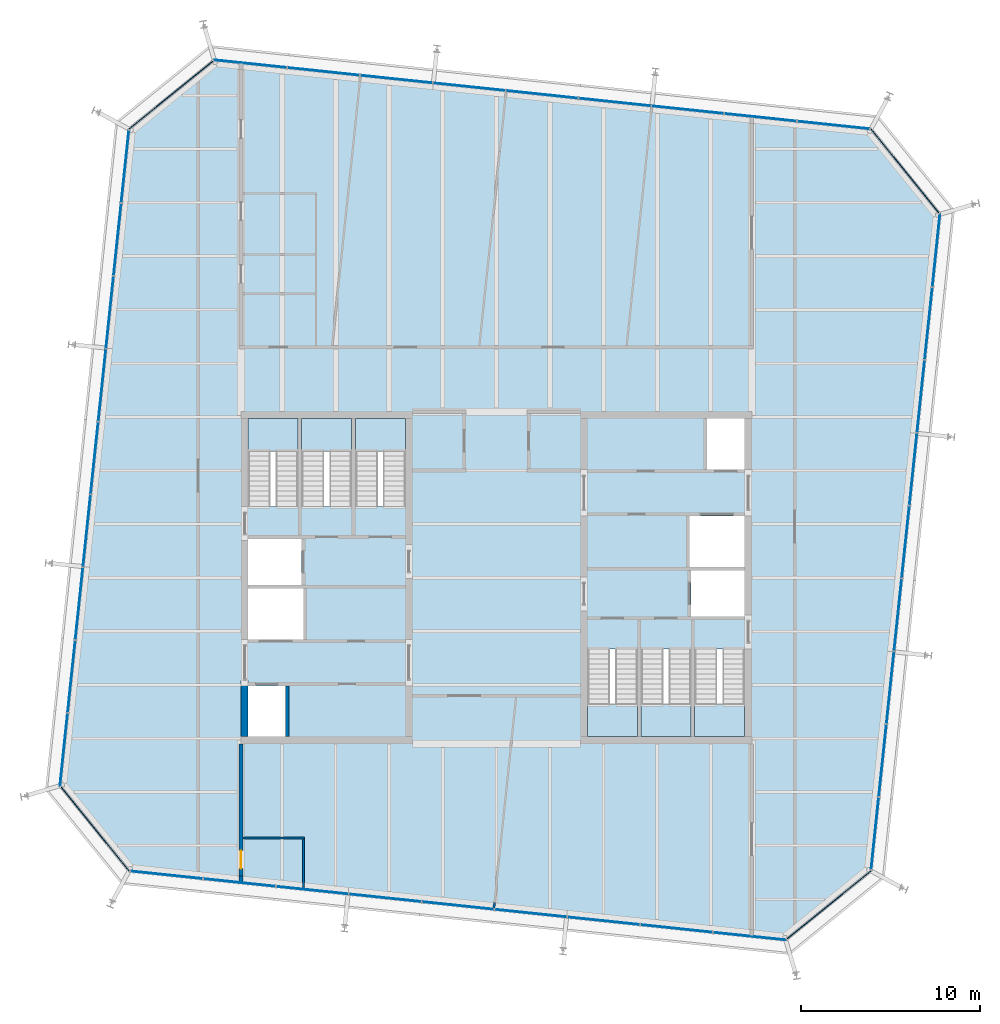
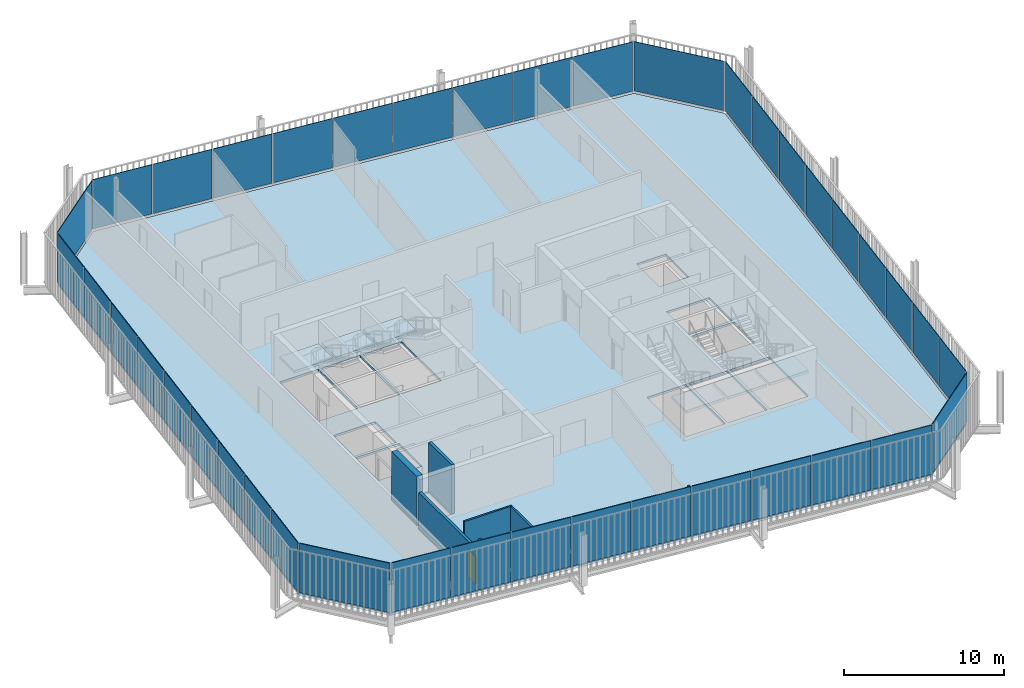
# One storey, part 15 of 20: 40 plates, 7 slabs, 7 walls, 1 door, 1 opening, 14 elements without a shape of their own.
"""IFC4 building model written with IfcOpenShell, lengths in metres."""

import ifcopenshell
import ifcopenshell.guid

model = None  # the IFC model being written
_history = None  # IfcOwnerHistory: only IFC2X3 demands one
_inside = {}  # id of a spatial element -> (the spatial element, [elements in it])
_under = {}  # id of a project, library or spatial element -> (it, [spatial elements below it])
_declared = {}  # id of a project -> (the project, [libraries it declares])
_typed = {}  # id of a type object -> (the type object, [elements of that type])
_made_of = {}  # id of a material, layer set ... -> (it, [elements and type objects made of it])


def new_model(schema):
    """Start an empty IFC model of exactly this schema.

    Asked for "IFC4X3", IfcOpenShell would pick the latest addendum, in which some entities
    have other attributes; the version numbers below select the first issue.
    IFC2X3 requires an IfcOwnerHistory on every rooted entity: one is made here for all.
    """
    global model, _history
    if schema == "IFC4X3":
        model = ifcopenshell.file(schema_version=(4, 3, 0, 0))
    else:
        model = ifcopenshell.file(schema=schema)
    _inside.clear()
    _under.clear()
    _declared.clear()
    _typed.clear()
    _made_of.clear()
    _history = None
    if model.schema == "IFC2X3":
        org = make("IfcOrganization", Name="unknown")
        user = make(
            "IfcPersonAndOrganization",
            ThePerson=make("IfcPerson", FamilyName="unknown"),
            TheOrganization=org,
        )
        app = make(
            "IfcApplication",
            ApplicationDeveloper=org,
            Version="unknown",
            ApplicationFullName="unknown",
            ApplicationIdentifier="unknown",
        )
        _history = make(
            "IfcOwnerHistory",
            OwningUser=user,
            OwningApplication=app,
            ChangeAction="ADDED",
            CreationDate=0,
        )
    return model


def make(cls, **values):
    """One entity of the class cls with the attributes given. An attribute that is None is left unset."""
    return model.create_entity(
        cls, **{name: value for name, value in values.items() if value is not None}
    )


def rooted(cls, **values):
    """An entity with a GlobalId (a new one), such as an element, a storey or a relation."""
    return make(cls, GlobalId=ifcopenshell.guid.new(), OwnerHistory=_history, **values)


def si_unit(unit_type, name, prefix=None):
    """IfcSIUnit, for example si_unit("LENGTHUNIT", "METRE", prefix="MILLI")."""
    return make("IfcSIUnit", UnitType=unit_type, Prefix=prefix, Name=name)


def assignment(units):
    """IfcUnitAssignment: the units of a project."""
    return None if units is None else make("IfcUnitAssignment", Units=units)


def point(xyz):
    """IfcCartesianPoint."""
    return None if xyz is None else make("IfcCartesianPoint", Coordinates=xyz)


def direction(xyz):
    """IfcDirection."""
    return None if xyz is None else make("IfcDirection", DirectionRatios=xyz)


def frame(location, z_axis=None, x_axis=None):
    """IfcAxis2Placement3D, a coordinate frame: its origin and axes. An axis left out is left unset."""
    return make(
        "IfcAxis2Placement3D",
        Location=point(location),
        Axis=direction(z_axis),
        RefDirection=direction(x_axis),
    )


def frame_2d(location, x_axis=None):
    """IfcAxis2Placement2D, a coordinate frame in the plane: its origin and x axis."""
    return make(
        "IfcAxis2Placement2D", Location=point(location), RefDirection=direction(x_axis)
    )


def origin():
    """The frame at (0, 0, 0) with its axes left unset."""
    return frame((0.0, 0.0, 0.0))


def place(relative_to, where):
    """IfcLocalPlacement: puts the frame where relative to a parent placement (None: the world)."""
    return make(
        "IfcLocalPlacement", PlacementRelTo=relative_to, RelativePlacement=where
    )


def context(
    kind, dimensions, precision=None, world=None, true_north=None, identifier=None
):
    """IfcGeometricRepresentationContext, for example the 3D "Model" context."""
    return make(
        "IfcGeometricRepresentationContext",
        ContextIdentifier=identifier,
        ContextType=kind,
        CoordinateSpaceDimension=dimensions,
        Precision=precision,
        WorldCoordinateSystem=world,
        TrueNorth=true_north,
    )


def subcontext(parent, identifier, kind, view, scale=None):
    """IfcGeometricRepresentationSubContext, for example "Body" below "Model"."""
    return make(
        "IfcGeometricRepresentationSubContext",
        ContextIdentifier=identifier,
        ContextType=kind,
        ParentContext=parent,
        TargetScale=scale,
        TargetView=view,
    )


def project(units=None, contexts=None):
    """IfcProject with its units and contexts."""
    return rooted(
        "IfcProject",
        Name="project",
        RepresentationContexts=contexts,
        UnitsInContext=assignment(units),
    )


def spatial(cls, under=None, at=None, **own):
    """A site, building, storey or space (cls), placed at a placement, below another one or the project."""
    s = rooted(cls, ObjectPlacement=at, **own)
    if under is not None:
        _under.setdefault(under.id(), (under, []))[1].append(s)
    return s


def polyline(points):
    """IfcPolyline through the points."""
    return make("IfcPolyline", Points=[point(p) for p in points])


def profile(cls, at=None, kind="AREA", **sizes):
    """A parametric profile (cls). Its sizes go by their IFC names, for example OverallWidth=200.0."""
    return make(cls, ProfileType=kind, Position=at, **sizes)


def rectangle(**sizes):
    """IfcRectangleProfileDef."""
    return profile("IfcRectangleProfileDef", **sizes)


def outline(outer, holes=None, kind="AREA"):
    """IfcArbitraryClosedProfileDef: a profile drawn as a closed curve; with holes, ...WithVoids."""
    if holes is None:
        return make("IfcArbitraryClosedProfileDef", ProfileType=kind, OuterCurve=outer)
    return make(
        "IfcArbitraryProfileDefWithVoids",
        ProfileType=kind,
        OuterCurve=outer,
        InnerCurves=holes,
    )


def extrude(swept, where, along, depth):
    """IfcExtrudedAreaSolid: the profile swept, set in the frame where, extruded along a direction by depth."""
    return make(
        "IfcExtrudedAreaSolid",
        SweptArea=swept,
        Position=where,
        ExtrudedDirection=direction(along),
        Depth=depth,
    )


def shape(context_of_items, identifier, shape_type, items):
    """IfcShapeRepresentation: the items that make up one representation, for example the "Body"."""
    return make(
        "IfcShapeRepresentation",
        ContextOfItems=context_of_items,
        RepresentationIdentifier=identifier,
        RepresentationType=shape_type,
        Items=items,
    )


def material(Name=None, Category=None):
    """IfcMaterial."""
    return make("IfcMaterial", Name=Name, Category=Category)


def layer(
    of_material, thickness, ventilated=None, Name=None, Category=None, Priority=None
):
    """IfcMaterialLayer: one layer of a wall or slab, of a material (None: an air gap)."""
    return make(
        "IfcMaterialLayer",
        Material=of_material,
        LayerThickness=thickness,
        IsVentilated=ventilated,
        Name=Name,
        Category=Category,
        Priority=Priority,
    )


def layer_set(layers, Name=None):
    """IfcMaterialLayerSet."""
    return make("IfcMaterialLayerSet", MaterialLayers=layers, LayerSetName=Name)


def made_of(thing, what):
    """Note that an element or type object is made of a material, layer set ...; save() writes the relation."""
    if what is not None:
        _made_of.setdefault(what.id(), (what, []))[1].append(thing)
    return thing


def type_object(cls, material=None, **own):
    """A type object (cls), such as IfcWallType, which elements share."""
    return made_of(rooted(cls, **own), material)


def element(
    cls,
    number,
    at=None,
    inside=None,
    cuts=None,
    type_object=None,
    material=None,
    context=None,
    identifier="Body",
    shape_type=None,
    held_by="IfcProductDefinitionShape",
    body=None,
    shapes=None,
    **own,
):
    """One element of the class cls, such as IfcWall. Its Tag is "e" and its number.

    at: its placement. inside: the storey or other place that contains it. cuts: it is an
    opening in that element (IfcRelVoidsElement). A single representation is given by context,
    identifier, shape_type and body (its items); several are given by shapes. held_by: the class
    of the entity that holds the representations. save() writes the other relations.
    """
    e = rooted(cls, Tag="e%d" % number, ObjectPlacement=at, **own)
    if body is not None:
        shapes = [shape(context, identifier, shape_type, body)]
    if shapes is not None:
        e.Representation = make(held_by, Representations=shapes)
    if inside is not None:
        _inside.setdefault(inside.id(), (inside, []))[1].append(e)
    if cuts is not None:
        rooted(
            "IfcRelVoidsElement", RelatingBuildingElement=cuts, RelatedOpeningElement=e
        )
    if type_object is not None:
        _typed.setdefault(type_object.id(), (type_object, []))[1].append(e)
    return made_of(e, material)


def fill(opening, filler):
    """IfcRelFillsElement: the door or window that sits in an opening."""
    return rooted(
        "IfcRelFillsElement",
        RelatingOpeningElement=opening,
        RelatedBuildingElement=filler,
    )


def aggregate(whole, parts):
    """IfcRelAggregates: a whole, such as a stair, and the parts it consists of."""
    return rooted("IfcRelAggregates", RelatingObject=whole, RelatedObjects=parts)


def save(model, path):
    """Write the relations noted so far, then the file.

    IfcRelAggregates (storeys below a building ...), IfcRelContainedInSpatialStructure (elements
    in a storey), IfcRelDefinesByType, IfcRelAssociatesMaterial and IfcRelDeclares: one each for
    every whole, place, type object, material and project.
    """
    for whole, parts in _under.values():
        aggregate(whole, parts)
    for where, things in _inside.values():
        rooted(
            "IfcRelContainedInSpatialStructure",
            RelatedElements=things,
            RelatingStructure=where,
        )
    for kind, things in _typed.values():
        rooted("IfcRelDefinesByType", RelatedObjects=things, RelatingType=kind)
    for what, things in _made_of.values():
        rooted("IfcRelAssociatesMaterial", RelatedObjects=things, RelatingMaterial=what)
    for by, libraries in _declared.values():
        rooted("IfcRelDeclares", RelatingContext=by, RelatedDefinitions=libraries)
    model.write(path)


model = new_model("IFC4")

# Units and contexts
model_context = context("Model", 3, precision=1e-05, world=origin(), true_north=direction((0.0, 1.0)))
body_context = subcontext(model_context, "Body", "Model", "MODEL_VIEW")
ifc_project = project(units=[si_unit("LENGTHUNIT", "METRE"), si_unit("AREAUNIT", "SQUARE_METRE"), si_unit("VOLUMEUNIT", "CUBIC_METRE"), si_unit("PLANEANGLEUNIT", "RADIAN"), si_unit("MASSUNIT", "GRAM", prefix="KILO")], contexts=[model_context])

# Site, building, storey
site_placement = place(None, origin())
site = spatial("IfcSite", under=ifc_project, at=site_placement, CompositionType="ELEMENT")
building_placement = place(site_placement, origin())
building = spatial("IfcBuilding", under=site, at=building_placement, Name="Millrace Tower", CompositionType="ELEMENT")
storey_placement = place(building_placement, frame((0.0, 0.0, 330.39990234375)))
storey = spatial("IfcBuildingStorey", under=building, at=storey_placement, Name="L76", CompositionType="ELEMENT", Elevation=330.39990234375)

# Curtain wall, plate
ifc_material_1 = material(Name="Aluminium and glass", Category="aluminium")
ifc_layer_1 = layer(ifc_material_1, 0.14990234375)
ifc_layer_set_1 = layer_set([ifc_layer_1], Name="Aluminium and glass")
curtain_wall_type = type_object("IfcCurtainWallType", Name="CW-1 office vision curtain wall", PredefinedType="NOTDEFINED", material=ifc_layer_set_1)
placement_1 = place(storey_placement, origin())
curtain_wall_1 = element("IfcCurtainWall", 1, at=placement_1, inside=storey, type_object=curtain_wall_type, Name="Curtain wall E-F01 L76", PredefinedType="NOTDEFINED")
ifc_material_2 = material(Name="Glass", Category="glass")
ifc_layer_2 = layer(ifc_material_2, 0.0439453125)
ifc_layer_set_2 = layer_set([ifc_layer_2], Name="Glass")
plate_type = type_object("IfcPlateType", Name="CW-1 office vision curtain wall triple-glazed vision panel", PredefinedType="CURTAIN_PANEL", material=ifc_layer_set_2)
placement_2 = place(storey_placement, frame((0.0, 0.0, 0.14013671875)))
plate_1 = element("IfcPlate", 2, at=placement_2, type_object=plate_type, Name="CW1 panel E-F01.1", PredefinedType="CURTAIN_PANEL", context=body_context, shape_type="SweptSolid", body=[
    extrude(outline(polyline([(-24.388427734375, -11.732421875), (-20.5771484375, -16.439208984375), (-20.554443359375, -16.397216796875), (-24.354248046875, -11.704833984375), (-24.388427734375, -11.732421875)])), origin(), (0.0, 0.0, 1.0), 3.760009765625),
])
aggregate(curtain_wall_1, [plate_1])

# Curtain wall, plates
curtain_wall_2 = element("IfcCurtainWall", 3, at=placement_1, inside=storey, type_object=curtain_wall_type, Name="Curtain wall E-F02 L76", PredefinedType="NOTDEFINED")
plate_2 = element("IfcPlate", 4, at=placement_2, type_object=plate_type, Name="CW1 panel E-F02.1", PredefinedType="CURTAIN_PANEL", context=body_context, shape_type="SweptSolid", body=[
    extrude(outline(polyline([(-20.472412109375, -16.4501953125), (-16.45947265625, -16.871826171875), (-16.454833984375, -16.828125), (-20.4677734375, -16.40625), (-20.472412109375, -16.4501953125)])), origin(), (0.0, 0.0, 1.0), 3.760009765625),
])
plate_3 = element("IfcPlate", 5, at=placement_2, type_object=plate_type, Name="CW1 panel E-F02.2", PredefinedType="CURTAIN_PANEL", context=body_context, shape_type="SweptSolid", body=[
    extrude(outline(polyline([(-16.39501953125, -16.878662109375), (-12.382080078125, -17.300537109375), (-12.37744140625, -17.256591796875), (-16.390380859375, -16.8349609375), (-16.39501953125, -16.878662109375)])), origin(), (0.0, 0.0, 1.0), 3.760009765625),
])
plate_4 = element("IfcPlate", 6, at=placement_2, type_object=plate_type, Name="CW1 panel E-F02.3", PredefinedType="CURTAIN_PANEL", context=body_context, shape_type="SweptSolid", body=[
    extrude(outline(polyline([(-12.3173828125, -17.30712890625), (-8.304443359375, -17.72900390625), (-8.2998046875, -17.685302734375), (-12.312744140625, -17.263427734375), (-12.3173828125, -17.30712890625)])), origin(), (0.0, 0.0, 1.0), 3.760009765625),
])
plate_5 = element("IfcPlate", 7, at=placement_2, type_object=plate_type, Name="CW1 panel E-F02.4", PredefinedType="CURTAIN_PANEL", context=body_context, shape_type="SweptSolid", body=[
    extrude(outline(polyline([(-8.23974609375, -17.73583984375), (-4.22705078125, -18.157470703125), (-4.222412109375, -18.11376953125), (-8.235107421875, -17.692138671875), (-8.23974609375, -17.73583984375)])), origin(), (0.0, 0.0, 1.0), 3.760009765625),
])
plate_6 = element("IfcPlate", 8, at=placement_2, type_object=plate_type, Name="CW1 panel E-F02.5", PredefinedType="CURTAIN_PANEL", context=body_context, shape_type="SweptSolid", body=[
    extrude(outline(polyline([(-4.162353515625, -18.164306640625), (-0.1494140625, -18.586181640625), (-0.144775390625, -18.54248046875), (-4.15771484375, -18.12060546875), (-4.162353515625, -18.164306640625)])), origin(), (0.0, 0.0, 1.0), 3.760009765625),
])
plate_7 = element("IfcPlate", 9, at=placement_2, type_object=plate_type, Name="CW1 panel E-F02.6", PredefinedType="CURTAIN_PANEL", context=body_context, shape_type="SweptSolid", body=[
    extrude(outline(polyline([(-0.084716796875, -18.593017578125), (3.92822265625, -19.0146484375), (3.932861328125, -18.970947265625), (-0.080078125, -18.549072265625), (-0.084716796875, -18.593017578125)])), origin(), (0.0, 0.0, 1.0), 3.760009765625),
])
plate_8 = element("IfcPlate", 10, at=placement_2, type_object=plate_type, Name="CW1 panel E-F02.7", PredefinedType="CURTAIN_PANEL", context=body_context, shape_type="SweptSolid", body=[
    extrude(outline(polyline([(3.99267578125, -19.021484375), (8.005615234375, -19.443359375), (8.01025390625, -19.3994140625), (3.997314453125, -18.977783203125), (3.99267578125, -19.021484375)])), origin(), (0.0, 0.0, 1.0), 3.760009765625),
])
plate_9 = element("IfcPlate", 11, at=placement_2, type_object=plate_type, Name="CW1 panel E-F02.8", PredefinedType="CURTAIN_PANEL", context=body_context, shape_type="SweptSolid", body=[
    extrude(outline(polyline([(8.0703125, -19.449951171875), (12.083251953125, -19.871826171875), (12.087890625, -19.828125), (8.074951171875, -19.40625), (8.0703125, -19.449951171875)])), origin(), (0.0, 0.0, 1.0), 3.760009765625),
])
plate_10 = element("IfcPlate", 12, at=placement_2, type_object=plate_type, Name="CW1 panel E-F02.9", PredefinedType="CURTAIN_PANEL", context=body_context, shape_type="SweptSolid", body=[
    extrude(outline(polyline([(12.14794921875, -19.878662109375), (16.20068359375, -20.3046875), (16.187255859375, -20.259033203125), (12.152587890625, -19.8349609375), (12.14794921875, -19.878662109375)])), origin(), (0.0, 0.0, 1.0), 3.760009765625),
])
aggregate(curtain_wall_2, [plate_2, plate_3, plate_4, plate_5, plate_6, plate_7, plate_8, plate_9, plate_10])

# Curtain wall, plate
curtain_wall_3 = element("IfcCurtainWall", 13, at=placement_1, inside=storey, type_object=curtain_wall_type, Name="Curtain wall E-F03 L76", PredefinedType="NOTDEFINED")
plate_11 = element("IfcPlate", 14, at=placement_2, type_object=plate_type, Name="CW1 panel E-F03.1", PredefinedType="CURTAIN_PANEL", context=body_context, shape_type="SweptSolid", body=[
    extrude(outline(polyline([(16.282470703125, -20.23828125), (20.989013671875, -16.427001953125), (20.947265625, -16.404296875), (16.2548828125, -20.2041015625), (16.282470703125, -20.23828125)])), origin(), (0.0, 0.0, 1.0), 3.760009765625),
])
aggregate(curtain_wall_3, [plate_11])

# Curtain wall, plates
curtain_wall_4 = element("IfcCurtainWall", 15, at=placement_1, inside=storey, type_object=curtain_wall_type, Name="Curtain wall E-F04 L76", PredefinedType="NOTDEFINED")
plate_12 = element("IfcPlate", 16, at=placement_2, type_object=plate_type, Name="CW1 panel E-F04.1", PredefinedType="CURTAIN_PANEL", context=body_context, shape_type="SweptSolid", body=[
    extrude(outline(polyline([(21.0, -16.322509765625), (21.421875, -12.3095703125), (21.378173828125, -12.304931640625), (20.956298828125, -16.31787109375), (21.0, -16.322509765625)])), origin(), (0.0, 0.0, 1.0), 3.760009765625),
])
plate_13 = element("IfcPlate", 17, at=placement_2, type_object=plate_type, Name="CW1 panel E-F04.2", PredefinedType="CURTAIN_PANEL", context=body_context, shape_type="SweptSolid", body=[
    extrude(outline(polyline([(21.4287109375, -12.244873046875), (21.850341796875, -8.23193359375), (21.806640625, -8.227294921875), (21.385009765625, -12.240234375), (21.4287109375, -12.244873046875)])), origin(), (0.0, 0.0, 1.0), 3.760009765625),
])
plate_14 = element("IfcPlate", 18, at=placement_2, type_object=plate_type, Name="CW1 panel E-F04.3", PredefinedType="CURTAIN_PANEL", context=body_context, shape_type="SweptSolid", body=[
    extrude(outline(polyline([(21.857177734375, -8.16748046875), (22.279052734375, -4.154541015625), (22.2353515625, -4.14990234375), (21.8134765625, -8.162841796875), (21.857177734375, -8.16748046875)])), origin(), (0.0, 0.0, 1.0), 3.760009765625),
])
plate_15 = element("IfcPlate", 19, at=placement_2, type_object=plate_type, Name="CW1 panel E-F04.4", PredefinedType="CURTAIN_PANEL", context=body_context, shape_type="SweptSolid", body=[
    extrude(outline(polyline([(22.285888671875, -4.08984375), (22.70751953125, -0.076904296875), (22.663818359375, -0.072265625), (22.241943359375, -4.085205078125), (22.285888671875, -4.08984375)])), origin(), (0.0, 0.0, 1.0), 3.760009765625),
])
plate_16 = element("IfcPlate", 20, at=placement_2, type_object=plate_type, Name="CW1 panel E-F04.5", PredefinedType="CURTAIN_PANEL", context=body_context, shape_type="SweptSolid", body=[
    extrude(outline(polyline([(22.71435546875, -0.01220703125), (23.13623046875, 4.00048828125), (23.09228515625, 4.005126953125), (22.670654296875, -0.007568359375), (22.71435546875, -0.01220703125)])), origin(), (0.0, 0.0, 1.0), 3.760009765625),
])
plate_17 = element("IfcPlate", 21, at=placement_2, type_object=plate_type, Name="CW1 panel E-F04.6", PredefinedType="CURTAIN_PANEL", context=body_context, shape_type="SweptSolid", body=[
    extrude(outline(polyline([(23.142822265625, 4.065185546875), (23.564697265625, 8.078125), (23.52099609375, 8.082763671875), (23.09912109375, 4.06982421875), (23.142822265625, 4.065185546875)])), origin(), (0.0, 0.0, 1.0), 3.760009765625),
])
plate_18 = element("IfcPlate", 22, at=placement_2, type_object=plate_type, Name="CW1 panel E-F04.7", PredefinedType="CURTAIN_PANEL", context=body_context, shape_type="SweptSolid", body=[
    extrude(outline(polyline([(23.571533203125, 8.142822265625), (23.9931640625, 12.15576171875), (23.949462890625, 12.160400390625), (23.52783203125, 8.1474609375), (23.571533203125, 8.142822265625)])), origin(), (0.0, 0.0, 1.0), 3.760009765625),
])
plate_19 = element("IfcPlate", 23, at=placement_2, type_object=plate_type, Name="CW1 panel E-F04.8", PredefinedType="CURTAIN_PANEL", context=body_context, shape_type="SweptSolid", body=[
    extrude(outline(polyline([(24.0, 12.22021484375), (24.421875, 16.233154296875), (24.378173828125, 16.23779296875), (23.956298828125, 12.224853515625), (24.0, 12.22021484375)])), origin(), (0.0, 0.0, 1.0), 3.760009765625),
])
plate_20 = element("IfcPlate", 24, at=placement_2, type_object=plate_type, Name="CW1 panel E-F04.9", PredefinedType="CURTAIN_PANEL", context=body_context, shape_type="SweptSolid", body=[
    extrude(outline(polyline([(24.4287109375, 16.2978515625), (24.8544921875, 20.350830078125), (24.808837890625, 20.337158203125), (24.384765625, 16.302490234375), (24.4287109375, 16.2978515625)])), origin(), (0.0, 0.0, 1.0), 3.760009765625),
])
aggregate(curtain_wall_4, [plate_12, plate_13, plate_14, plate_15, plate_16, plate_17, plate_18, plate_19, plate_20])

# Curtain wall, plate
curtain_wall_5 = element("IfcCurtainWall", 25, at=placement_1, inside=storey, type_object=curtain_wall_type, Name="Curtain wall E-F05 L76", PredefinedType="NOTDEFINED")
plate_21 = element("IfcPlate", 26, at=placement_2, type_object=plate_type, Name="CW1 panel E-F05.1", PredefinedType="CURTAIN_PANEL", context=body_context, shape_type="SweptSolid", body=[
    extrude(outline(polyline([(24.788330078125, 20.432373046875), (20.97705078125, 25.13916015625), (20.954345703125, 25.09716796875), (24.754150390625, 20.40478515625), (24.788330078125, 20.432373046875)])), origin(), (0.0, 0.0, 1.0), 3.760009765625),
])
aggregate(curtain_wall_5, [plate_21])

# Curtain wall, plates
curtain_wall_6 = element("IfcCurtainWall", 27, at=placement_1, inside=storey, type_object=curtain_wall_type, Name="Curtain wall E-F06 L76", PredefinedType="NOTDEFINED")
plate_22 = element("IfcPlate", 28, at=placement_2, type_object=plate_type, Name="CW1 panel E-F06.1", PredefinedType="CURTAIN_PANEL", context=body_context, shape_type="SweptSolid", body=[
    extrude(outline(polyline([(20.87255859375, 25.150146484375), (16.859619140625, 25.57177734375), (16.85498046875, 25.528076171875), (20.867919921875, 25.1064453125), (20.87255859375, 25.150146484375)])), origin(), (0.0, 0.0, 1.0), 3.760009765625),
])
plate_23 = element("IfcPlate", 29, at=placement_2, type_object=plate_type, Name="CW1 panel E-F06.2", PredefinedType="CURTAIN_PANEL", context=body_context, shape_type="SweptSolid", body=[
    extrude(outline(polyline([(16.794921875, 25.57861328125), (12.781982421875, 26.00048828125), (12.77734375, 25.956787109375), (16.790283203125, 25.534912109375), (16.794921875, 25.57861328125)])), origin(), (0.0, 0.0, 1.0), 3.760009765625),
])
plate_24 = element("IfcPlate", 30, at=placement_2, type_object=plate_type, Name="CW1 panel E-F06.3", PredefinedType="CURTAIN_PANEL", context=body_context, shape_type="SweptSolid", body=[
    extrude(outline(polyline([(12.71728515625, 26.00732421875), (8.70458984375, 26.428955078125), (8.699951171875, 26.38525390625), (12.712646484375, 25.96337890625), (12.71728515625, 26.00732421875)])), origin(), (0.0, 0.0, 1.0), 3.760009765625),
])
plate_25 = element("IfcPlate", 31, at=placement_2, type_object=plate_type, Name="CW1 panel E-F06.4", PredefinedType="CURTAIN_PANEL", context=body_context, shape_type="SweptSolid", body=[
    extrude(outline(polyline([(8.639892578125, 26.435791015625), (4.626953125, 26.857666015625), (4.622314453125, 26.813720703125), (8.63525390625, 26.39208984375), (8.639892578125, 26.435791015625)])), origin(), (0.0, 0.0, 1.0), 3.760009765625),
])
plate_26 = element("IfcPlate", 32, at=placement_2, type_object=plate_type, Name="CW1 panel E-F06.5", PredefinedType="CURTAIN_PANEL", context=body_context, shape_type="SweptSolid", body=[
    extrude(outline(polyline([(4.562255859375, 26.8642578125), (0.54931640625, 27.2861328125), (0.544677734375, 27.242431640625), (4.5576171875, 26.820556640625), (4.562255859375, 26.8642578125)])), origin(), (0.0, 0.0, 1.0), 3.760009765625),
])
plate_27 = element("IfcPlate", 33, at=placement_2, type_object=plate_type, Name="CW1 panel E-F06.6", PredefinedType="CURTAIN_PANEL", context=body_context, shape_type="SweptSolid", body=[
    extrude(outline(polyline([(0.48486328125, 27.29296875), (-3.528076171875, 27.714599609375), (-3.53271484375, 27.6708984375), (0.480224609375, 27.249267578125), (0.48486328125, 27.29296875)])), origin(), (0.0, 0.0, 1.0), 3.760009765625),
])
plate_28 = element("IfcPlate", 34, at=placement_2, type_object=plate_type, Name="CW1 panel E-F06.7", PredefinedType="CURTAIN_PANEL", context=body_context, shape_type="SweptSolid", body=[
    extrude(outline(polyline([(-3.5927734375, 27.721435546875), (-7.605712890625, 28.143310546875), (-7.6103515625, 28.099609375), (-3.597412109375, 27.677734375), (-3.5927734375, 27.721435546875)])), origin(), (0.0, 0.0, 1.0), 3.760009765625),
])
plate_29 = element("IfcPlate", 35, at=placement_2, type_object=plate_type, Name="CW1 panel E-F06.8", PredefinedType="CURTAIN_PANEL", context=body_context, shape_type="SweptSolid", body=[
    extrude(outline(polyline([(-7.67041015625, 28.150146484375), (-11.68310546875, 28.57177734375), (-11.687744140625, 28.528076171875), (-7.675048828125, 28.106201171875), (-7.67041015625, 28.150146484375)])), origin(), (0.0, 0.0, 1.0), 3.760009765625),
])
plate_30 = element("IfcPlate", 36, at=placement_2, type_object=plate_type, Name="CW1 panel E-F06.9", PredefinedType="CURTAIN_PANEL", context=body_context, shape_type="SweptSolid", body=[
    extrude(outline(polyline([(-11.747802734375, 28.57861328125), (-15.80078125, 29.004638671875), (-15.787109375, 28.958984375), (-11.75244140625, 28.534912109375), (-11.747802734375, 28.57861328125)])), origin(), (0.0, 0.0, 1.0), 3.760009765625),
])
aggregate(curtain_wall_6, [plate_22, plate_23, plate_24, plate_25, plate_26, plate_27, plate_28, plate_29, plate_30])

# Curtain wall, plate
curtain_wall_7 = element("IfcCurtainWall", 37, at=placement_1, inside=storey, type_object=curtain_wall_type, Name="Curtain wall E-F07 L76", PredefinedType="NOTDEFINED")
plate_31 = element("IfcPlate", 38, at=placement_2, type_object=plate_type, Name="CW1 panel E-F07.1", PredefinedType="CURTAIN_PANEL", context=body_context, shape_type="SweptSolid", body=[
    extrude(outline(polyline([(-15.882568359375, 28.9384765625), (-20.589111328125, 25.126953125), (-20.547119140625, 25.104248046875), (-15.854736328125, 28.904296875), (-15.882568359375, 28.9384765625)])), origin(), (0.0, 0.0, 1.0), 3.760009765625),
])
aggregate(curtain_wall_7, [plate_31])

# Curtain wall, plates
curtain_wall_8 = element("IfcCurtainWall", 39, at=placement_1, inside=storey, type_object=curtain_wall_type, Name="Curtain wall E-F08 L76", PredefinedType="NOTDEFINED")
plate_32 = element("IfcPlate", 40, at=placement_2, type_object=plate_type, Name="CW1 panel E-F08.1", PredefinedType="CURTAIN_PANEL", context=body_context, shape_type="SweptSolid", body=[
    extrude(outline(polyline([(-20.60009765625, 25.0224609375), (-21.02197265625, 21.009521484375), (-20.97802734375, 21.0048828125), (-20.556396484375, 25.017822265625), (-20.60009765625, 25.0224609375)])), origin(), (0.0, 0.0, 1.0), 3.760009765625),
])
plate_33 = element("IfcPlate", 41, at=placement_2, type_object=plate_type, Name="CW1 panel E-F08.2", PredefinedType="CURTAIN_PANEL", context=body_context, shape_type="SweptSolid", body=[
    extrude(outline(polyline([(-21.028564453125, 20.94482421875), (-21.450439453125, 16.93212890625), (-21.40673828125, 16.927490234375), (-20.98486328125, 20.9404296875), (-21.028564453125, 20.94482421875)])), origin(), (0.0, 0.0, 1.0), 3.760009765625),
])
plate_34 = element("IfcPlate", 42, at=placement_2, type_object=plate_type, Name="CW1 panel E-F08.3", PredefinedType="CURTAIN_PANEL", context=body_context, shape_type="SweptSolid", body=[
    extrude(outline(polyline([(-21.457275390625, 16.867431640625), (-21.87890625, 12.8544921875), (-21.835205078125, 12.849853515625), (-21.41357421875, 16.86279296875), (-21.457275390625, 16.867431640625)])), origin(), (0.0, 0.0, 1.0), 3.760009765625),
])
plate_35 = element("IfcPlate", 43, at=placement_2, type_object=plate_type, Name="CW1 panel E-F08.4", PredefinedType="CURTAIN_PANEL", context=body_context, shape_type="SweptSolid", body=[
    extrude(outline(polyline([(-21.8857421875, 12.789794921875), (-22.3076171875, 8.77685546875), (-22.263916015625, 8.772216796875), (-21.842041015625, 12.78515625), (-21.8857421875, 12.789794921875)])), origin(), (0.0, 0.0, 1.0), 3.760009765625),
])
plate_36 = element("IfcPlate", 44, at=placement_2, type_object=plate_type, Name="CW1 panel E-F08.5", PredefinedType="CURTAIN_PANEL", context=body_context, shape_type="SweptSolid", body=[
    extrude(outline(polyline([(-22.314453125, 8.71240234375), (-22.736083984375, 4.699462890625), (-22.6923828125, 4.69482421875), (-22.2705078125, 8.707763671875), (-22.314453125, 8.71240234375)])), origin(), (0.0, 0.0, 1.0), 3.760009765625),
])
plate_37 = element("IfcPlate", 45, at=placement_2, type_object=plate_type, Name="CW1 panel E-F08.6", PredefinedType="CURTAIN_PANEL", context=body_context, shape_type="SweptSolid", body=[
    extrude(outline(polyline([(-22.742919921875, 4.634765625), (-23.164794921875, 0.621826171875), (-23.120849609375, 0.6171875), (-22.69921875, 4.630126953125), (-22.742919921875, 4.634765625)])), origin(), (0.0, 0.0, 1.0), 3.760009765625),
])
plate_38 = element("IfcPlate", 46, at=placement_2, type_object=plate_type, Name="CW1 panel E-F08.7", PredefinedType="CURTAIN_PANEL", context=body_context, shape_type="SweptSolid", body=[
    extrude(outline(polyline([(-23.17138671875, 0.55712890625), (-23.59326171875, -3.45556640625), (-23.549560546875, -3.460205078125), (-23.127685546875, 0.552490234375), (-23.17138671875, 0.55712890625)])), origin(), (0.0, 0.0, 1.0), 3.760009765625),
])
plate_39 = element("IfcPlate", 47, at=placement_2, type_object=plate_type, Name="CW1 panel E-F08.8", PredefinedType="CURTAIN_PANEL", context=body_context, shape_type="SweptSolid", body=[
    extrude(outline(polyline([(-23.60009765625, -3.520263671875), (-24.021728515625, -7.533203125), (-23.97802734375, -7.537841796875), (-23.556396484375, -3.52490234375), (-23.60009765625, -3.520263671875)])), origin(), (0.0, 0.0, 1.0), 3.760009765625),
])
plate_40 = element("IfcPlate", 48, at=placement_2, type_object=plate_type, Name="CW1 panel E-F08.9", PredefinedType="CURTAIN_PANEL", context=body_context, shape_type="SweptSolid", body=[
    extrude(outline(polyline([(-24.028564453125, -7.597900390625), (-24.45458984375, -11.650634765625), (-24.408935546875, -11.63720703125), (-23.98486328125, -7.6025390625), (-24.028564453125, -7.597900390625)])), origin(), (0.0, 0.0, 1.0), 3.760009765625),
])
aggregate(curtain_wall_8, [plate_32, plate_33, plate_34, plate_35, plate_36, plate_37, plate_38, plate_39, plate_40])

# Slab
ifc_material_3 = material(Name="Concrete C35 on steel deck", Category="concrete")
ifc_layer_3 = layer(ifc_material_3, 0.159912109375)
ifc_layer_set_3 = layer_set([ifc_layer_3], Name="Concrete C35 on steel deck")
slab_type_1 = type_object("IfcSlabType", Name="Composite floor slab 160 mm", PredefinedType="FLOOR", material=ifc_layer_set_3)
slab_1_placement = place(storey_placement, frame((0.0, 0.0, -0.159912109375)))
element("IfcSlab", 49, at=slab_1_placement, inside=storey, type_object=slab_type_1, Name="SL-E-L76-S1", PredefinedType="FLOOR", context=body_context, shape_type="SweptSolid", body=[
    extrude(outline(polyline([(-24.35400390625, -11.620849609375), (-20.52685546875, -16.346923828125), (16.1708984375, -20.203857421875), (20.896728515625, -16.376953125), (24.75390625, 20.32080078125), (20.927001953125, 25.046875), (-15.77099609375, 28.90380859375), (-20.496826171875, 25.076904296875), (-24.35400390625, -11.620849609375)]), holes=[polyline([(-13.89990234375, -8.89990234375), (-11.800048828125, -8.89990234375), (-11.800048828125, -6.050048828125), (-13.89990234375, -6.050048828125), (-13.89990234375, -8.89990234375)]), polyline([(-13.89990234375, -3.449951171875), (-10.800048828125, -3.449951171875), (-10.800048828125, -0.60009765625), (-13.89990234375, -0.60009765625), (-13.89990234375, -3.449951171875)]), polyline([(-13.89990234375, -0.39990234375), (-10.89990234375, -0.39990234375), (-10.89990234375, 2.179931640625), (-13.89990234375, 2.179931640625), (-13.89990234375, -0.39990234375)]), polyline([(-13.89990234375, 4.0), (-11.10009765625, 4.0), (-11.10009765625, 8.89990234375), (-13.89990234375, 8.89990234375), (-13.89990234375, 4.0)]), polyline([(-10.89990234375, 4.0), (-8.10009765625, 4.0), (-8.10009765625, 8.89990234375), (-10.89990234375, 8.89990234375), (-10.89990234375, 4.0)]), polyline([(-7.89990234375, 4.0), (-5.10009765625, 4.0), (-5.10009765625, 8.89990234375), (-7.89990234375, 8.89990234375), (-7.89990234375, 4.0)]), polyline([(11.800048828125, 6.050048828125), (13.89990234375, 6.050048828125), (13.89990234375, 8.89990234375), (11.800048828125, 8.89990234375), (11.800048828125, 6.050048828125)]), polyline([(10.800048828125, 0.60009765625), (13.89990234375, 0.60009765625), (13.89990234375, 3.449951171875), (10.800048828125, 3.449951171875), (10.800048828125, 0.60009765625)]), polyline([(10.89990234375, -2.179931640625), (13.89990234375, -2.179931640625), (13.89990234375, 0.39990234375), (10.89990234375, 0.39990234375), (10.89990234375, -2.179931640625)]), polyline([(11.10009765625, -8.89990234375), (13.89990234375, -8.89990234375), (13.89990234375, -4.0), (11.10009765625, -4.0), (11.10009765625, -8.89990234375)]), polyline([(8.10009765625, -8.89990234375), (10.89990234375, -8.89990234375), (10.89990234375, -4.0), (8.10009765625, -4.0), (8.10009765625, -8.89990234375)]), polyline([(5.10009765625, -8.89990234375), (7.89990234375, -8.89990234375), (7.89990234375, -4.0), (5.10009765625, -4.0), (5.10009765625, -8.89990234375)])]), origin(), (0.0, 0.0, 1.0), 0.159912109375),
])

# Stair, slab
ifc_material_4 = material(Name="Concrete C35", Category="concrete")
stair_type = type_object("IfcStairType", Name="Exit stair", PredefinedType="HALF_TURN_STAIR", material=ifc_material_4)
stair_1 = element("IfcStair", 50, at=placement_1, inside=storey, type_object=stair_type, Name="Stair 1 W L76", PredefinedType="HALF_TURN_STAIR")
ifc_material_5 = material(Name="Concrete C40", Category="concrete")
ifc_layer_4 = layer(ifc_material_5, 0.199951171875)
ifc_layer_set_4 = layer_set([ifc_layer_4], Name="Concrete C40")
slab_type_2 = type_object("IfcSlabType", Name="Stair landing", PredefinedType="LANDING", material=ifc_layer_set_4)
placement_3 = place(storey_placement, frame((0.0, 0.0, 1.75)))
slab_2 = element("IfcSlab", 51, at=placement_3, type_object=slab_type_2, Name="ST12 landing 1", PredefinedType="LANDING", context=body_context, shape_type="SweptSolid", body=[
    extrude(outline(polyline([(-13.89990234375, 7.080078125), (-11.10009765625, 7.080078125), (-11.10009765625, 8.89990234375), (-13.89990234375, 8.89990234375), (-13.89990234375, 7.080078125)])), origin(), (0.0, 0.0, 1.0), 0.2001953125),
])
aggregate(stair_1, [slab_2])

stair_2 = element("IfcStair", 52, at=placement_1, inside=storey, type_object=stair_type, Name="Stair 2 W L76", PredefinedType="HALF_TURN_STAIR")
slab_3 = element("IfcSlab", 53, at=placement_3, type_object=slab_type_2, Name="ST12 landing 1", PredefinedType="LANDING", context=body_context, shape_type="SweptSolid", body=[
    extrude(outline(polyline([(-10.89990234375, 7.080078125), (-8.10009765625, 7.080078125), (-8.10009765625, 8.89990234375), (-10.89990234375, 8.89990234375), (-10.89990234375, 7.080078125)])), origin(), (0.0, 0.0, 1.0), 0.2001953125),
])
aggregate(stair_2, [slab_3])

stair_3 = element("IfcStair", 54, at=placement_1, inside=storey, type_object=stair_type, Name="Stair 3 W L76", PredefinedType="HALF_TURN_STAIR")
slab_4 = element("IfcSlab", 55, at=placement_3, type_object=slab_type_2, Name="ST12 landing 1", PredefinedType="LANDING", context=body_context, shape_type="SweptSolid", body=[
    extrude(outline(polyline([(-7.89990234375, 7.080078125), (-5.10009765625, 7.080078125), (-5.10009765625, 8.89990234375), (-7.89990234375, 8.89990234375), (-7.89990234375, 7.080078125)])), origin(), (0.0, 0.0, 1.0), 0.2001953125),
])
aggregate(stair_3, [slab_4])

stair_4 = element("IfcStair", 56, at=placement_1, inside=storey, type_object=stair_type, Name="Stair 1 E L76", PredefinedType="HALF_TURN_STAIR")
slab_5 = element("IfcSlab", 57, at=placement_3, type_object=slab_type_2, Name="ST12 landing 1", PredefinedType="LANDING", context=body_context, shape_type="SweptSolid", body=[
    extrude(outline(polyline([(11.10009765625, -8.89990234375), (13.89990234375, -8.89990234375), (13.89990234375, -7.080078125), (11.10009765625, -7.080078125), (11.10009765625, -8.89990234375)])), origin(), (0.0, 0.0, 1.0), 0.2001953125),
])
aggregate(stair_4, [slab_5])

stair_5 = element("IfcStair", 58, at=placement_1, inside=storey, type_object=stair_type, Name="Stair 2 E L76", PredefinedType="HALF_TURN_STAIR")
slab_6 = element("IfcSlab", 59, at=placement_3, type_object=slab_type_2, Name="ST12 landing 1", PredefinedType="LANDING", context=body_context, shape_type="SweptSolid", body=[
    extrude(outline(polyline([(8.10009765625, -8.89990234375), (10.89990234375, -8.89990234375), (10.89990234375, -7.080078125), (8.10009765625, -7.080078125), (8.10009765625, -8.89990234375)])), origin(), (0.0, 0.0, 1.0), 0.2001953125),
])
aggregate(stair_5, [slab_6])

stair_6 = element("IfcStair", 60, at=placement_1, inside=storey, type_object=stair_type, Name="Stair 3 E L76", PredefinedType="HALF_TURN_STAIR")
slab_7 = element("IfcSlab", 61, at=placement_3, type_object=slab_type_2, Name="ST12 landing 1", PredefinedType="LANDING", context=body_context, shape_type="SweptSolid", body=[
    extrude(outline(polyline([(5.10009765625, -8.89990234375), (7.89990234375, -8.89990234375), (7.89990234375, -7.080078125), (5.10009765625, -7.080078125), (5.10009765625, -8.89990234375)])), origin(), (0.0, 0.0, 1.0), 0.2001953125),
])
aggregate(stair_6, [slab_7])

# Walls
ifc_material_6 = material(Name="Concrete C60", Category="concrete")
ifc_layer_5 = layer(ifc_material_6, 0.39990234375)
ifc_layer_set_5 = layer_set([ifc_layer_5], Name="Concrete C60")
wall_type_1 = type_object("IfcWallType", Name="Core wall 400 Concrete C60", PredefinedType="SHEAR", material=ifc_layer_set_5)
wall_1_placement = place(storey_placement, frame((-14.10009765625, -8.89990234375, 0.0), z_axis=(0.0, 0.0, 1.0), x_axis=(0.0, 1.0, 0.0)))
element("IfcWall", 62, at=wall_1_placement, inside=storey, type_object=wall_type_1, Name="Core wall W L76", PredefinedType="SHEAR", context=body_context, shape_type="SweptSolid", body=[
    extrude(rectangle(XDim=3.14990234375, YDim=0.39990234375, at=frame_2d((1.574951171875, 0.0))), origin(), (0.0, 0.0, 1.0), 3.739990234375),
])
ifc_material_7 = material(Name="Masonry partition, fire-rated", Category="masonry")
ifc_layer_6 = layer(ifc_material_7, 0.199951171875)
ifc_layer_set_6 = layer_set([ifc_layer_6], Name="Masonry partition, fire-rated")
wall_type_2 = type_object("IfcWallType", Name="Corridor wall 200", PredefinedType="PARTITIONING", material=ifc_layer_set_6)
wall_2_placement = place(storey_placement, frame((-14.300048828125, -17.031494140625, 0.0), z_axis=(0.0, 0.0, 1.0), x_axis=(0.0, 1.0, 0.0)))
element("IfcWall", 63, at=wall_2_placement, inside=storey, type_object=wall_type_2, Name="Corridor wall L76", PredefinedType="PARTITIONING", context=body_context, shape_type="SweptSolid", body=[
    extrude(rectangle(XDim=0.339111328125, YDim=0.199951171875, at=frame_2d((0.16943359375, 0.0))), origin(), (0.0, 0.0, 1.0), 3.739990234375),
])

# Wall, opening, door
wall_3_placement = place(storey_placement, frame((-14.300048828125, -16.6923828125, 0.0), z_axis=(0.0, 0.0, 1.0), x_axis=(0.0, 1.0, 0.0)))
wall_3 = element("IfcWall", 64, at=wall_3_placement, inside=storey, type_object=wall_type_2, Name="Corridor wall L76", PredefinedType="PARTITIONING", context=body_context, shape_type="SweptSolid", body=[
    extrude(rectangle(XDim=7.392333984375, YDim=0.199951171875, at=frame_2d((3.6962890625, 0.0))), origin(), (0.0, 0.0, 1.0), 2.81298828125),
])
opening_placement = place(wall_3_placement, frame((0.411376953125, 0.0, 0.0)))
opening = element("IfcOpeningElement", 65, at=opening_placement, cuts=wall_3, Name="Opening 76-P013", PredefinedType="OPENING", context=body_context, shape_type="SweptSolid", body=[
    extrude(rectangle(XDim=1.0, YDim=2.10009765625, at=frame_2d((0.5, 1.050048828125))), frame((0.0, 0.10986328125, 0.0), z_axis=(0.0, -1.0, 0.0), x_axis=(1.0, 0.0, 0.0)), (0.0, 0.0, 1.0), 0.219970703125),
])
ifc_material_8 = material(Name="Steel door set, fire-rated", Category="steel")
door_type = type_object("IfcDoorType", Name="Corridor door 1000 x 2100", OperationType="SINGLE_SWING_LEFT", PredefinedType="DOOR", material=ifc_material_8)
door_placement = place(opening_placement, frame((1.0, 0.0, 0.0), z_axis=(0.0, 0.0, 1.0), x_axis=(-1.0, 0.0, 0.0)))
door = element("IfcDoor", 66, at=door_placement, inside=storey, type_object=door_type, Name="Door 76-P013", OperationType="SINGLE_SWING_RIGHT", OverallHeight=2.10009765625, OverallWidth=1.0, PredefinedType="DOOR", context=body_context, shape_type="SweptSolid", body=[
    extrude(rectangle(XDim=1.0, YDim=2.10009765625, at=frame_2d((0.5, 1.050048828125))), frame((0.0, 0.02490234375, 0.0), z_axis=(0.0, -1.0, 0.0), x_axis=(1.0, 0.0, 0.0)), (0.0, 0.0, 1.0), 0.050048828125),
])
fill(opening, door)

# Walls
ifc_material_9 = material(Name="Masonry partition, fire-rated", Category="masonry")
ifc_layer_7 = layer(ifc_material_9, 0.199951171875)
ifc_layer_set_7 = layer_set([ifc_layer_7], Name="Masonry partition, fire-rated")
wall_type_3 = type_object("IfcWallType", Name="Lift shaft wall 200", PredefinedType="PARTITIONING", material=ifc_layer_set_7)
wall_4_placement = place(storey_placement, frame((-11.699951171875, -8.89990234375, 0.0), z_axis=(0.0, 0.0, 1.0), x_axis=(0.0, 1.0, 0.0)))
element("IfcWall", 67, at=wall_4_placement, inside=storey, type_object=wall_type_3, Name="Lift shaft wall W L76", PredefinedType="PARTITIONING", context=body_context, shape_type="SweptSolid", body=[
    extrude(rectangle(XDim=2.849853515625, YDim=0.199951171875, at=frame_2d((1.4248046875, 0.0))), origin(), (0.0, 0.0, 1.0), 3.739990234375),
])
ifc_material_10 = material(Name="Gypsum board partition")
ifc_layer_8 = layer(ifc_material_10, 0.1201171875)
ifc_layer_set_8 = layer_set([ifc_layer_8], Name="Gypsum board partition")
wall_type_4 = type_object("IfcWallType", Name="Partition wall 120", PredefinedType="PARTITIONING", material=ifc_layer_set_8)
wall_5_placement = place(storey_placement, frame((-14.199951171875, -14.5810546875, 0.0), z_axis=(0.0, 0.0, 1.0), x_axis=(1.0, 0.0, 0.0)))
element("IfcWall", 68, at=wall_5_placement, inside=storey, type_object=wall_type_4, Name="Partition wall L76", PredefinedType="PARTITIONING", context=body_context, shape_type="SweptSolid", body=[
    extrude(rectangle(XDim=3.4599609375, YDim=0.1201171875, at=frame_2d((1.72998046875, 0.0))), origin(), (0.0, 0.0, 1.0), 3.739990234375),
])
wall_6_placement = place(storey_placement, frame((-0.14208984375, -18.51953125, 0.0), z_axis=(0.0, 0.0, 1.0), x_axis=(0.104219761224, 0.994554292822, 0.0)))
element("IfcWall", 69, at=wall_6_placement, inside=storey, type_object=wall_type_4, Name="Partition wall L76", PredefinedType="PARTITIONING", context=body_context, shape_type="SweptSolid", body=[
    extrude(rectangle(XDim=0.327880859375, YDim=0.1201171875, at=frame_2d((0.1640625, 0.0))), origin(), (0.0, 0.0, 1.0), 3.739990234375),
])
wall_7_placement = place(storey_placement, frame((-10.800048828125, -17.3994140625, 0.0), z_axis=(0.0, 0.0, 1.0), x_axis=(0.0, 1.0, 0.0)))
element("IfcWall", 70, at=wall_7_placement, inside=storey, type_object=wall_type_4, Name="Partition wall L76", PredefinedType="PARTITIONING", context=body_context, shape_type="SweptSolid", body=[
    extrude(rectangle(XDim=2.75830078125, YDim=0.1201171875, at=frame_2d((1.379150390625, 0.0))), origin(), (0.0, 0.0, 1.0), 3.739990234375),
])

save(model, "model.ifc")
